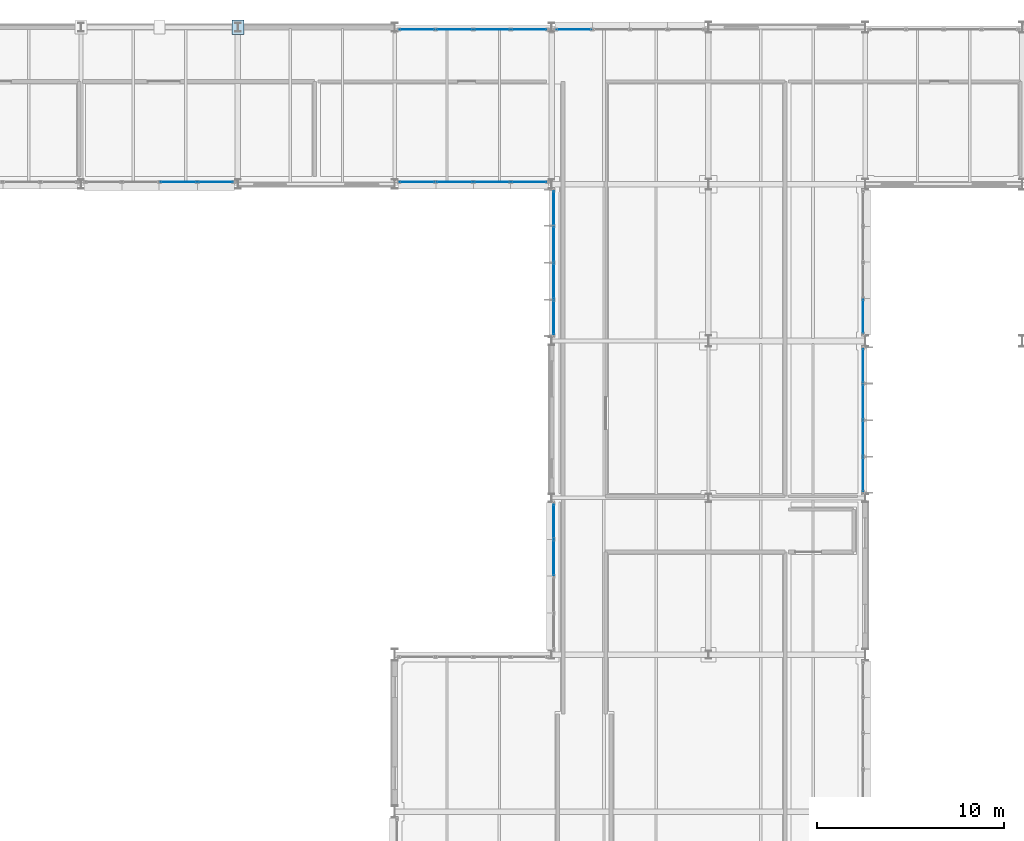
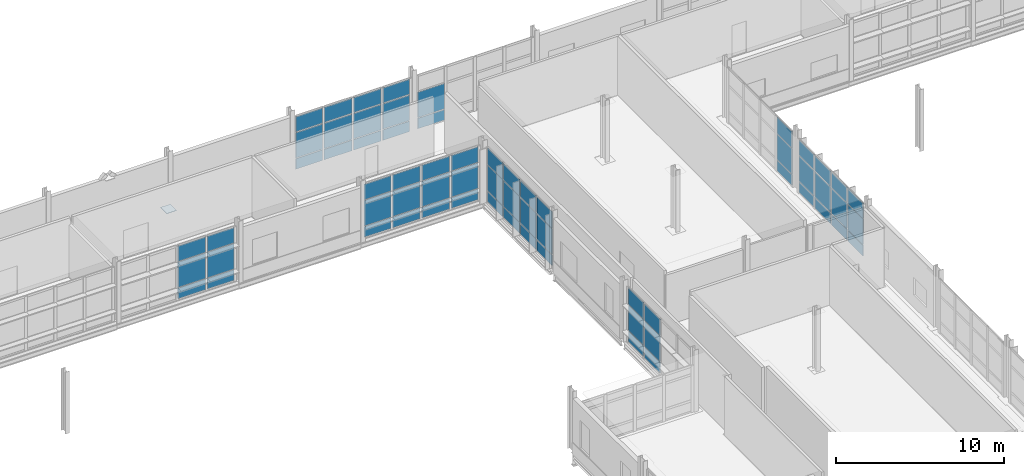
# One storey, part 87 of 129: 66 plates, 8 elements without a shape of their own.
"""IFC4 building model written with IfcOpenShell, lengths in metres."""

from ifc_helpers import new_model, si_unit, direction, frame, origin, origin_2d, place, context, subcontext, project, spatial, rectangle, extrude, material, layer, layer_set, type_object, element, aggregate, save


model = new_model("IFC4")

# Units and contexts
model_context = context("Model", 3, precision=1e-05, world=origin(), true_north=direction((0.0, 1.0)))
body_context = subcontext(model_context, "Body", "Model", "MODEL_VIEW")
ifc_project = project(units=[si_unit("LENGTHUNIT", "METRE"), si_unit("AREAUNIT", "SQUARE_METRE"), si_unit("VOLUMEUNIT", "CUBIC_METRE"), si_unit("PLANEANGLEUNIT", "RADIAN"), si_unit("MASSUNIT", "GRAM", prefix="KILO")], contexts=[model_context])

# Site, building, storey
site_placement = place(None, origin())
site = spatial("IfcSite", under=ifc_project, at=site_placement, CompositionType="ELEMENT")
building_placement = place(site_placement, origin())
building = spatial("IfcBuilding", under=site, at=building_placement, Name="Mersafa Astral City Hall", CompositionType="ELEMENT")
storey_placement = place(building_placement, frame((0.0, 0.0, 5.39990234375)))
storey = spatial("IfcBuildingStorey", under=building, at=storey_placement, Name="L01", CompositionType="ELEMENT", Elevation=5.39990234375)

# Curtain wall, plates
ifc_material_1 = material(Name="Anodised bronze aluminium framing", Category="aluminium")
curtain_wall_type_1 = type_object("IfcCurtainWallType", Name="ENV-CW-5", PredefinedType="USERDEFINED", material=ifc_material_1)
curtain_wall_1_placement = place(storey_placement, origin())
curtain_wall_1 = element("IfcCurtainWall", 1, at=curtain_wall_1_placement, inside=storey, type_object=curtain_wall_type_1, Name="L01 Unitised solar curtain wall 88", ObjectType="UNITISED CURTAIN WALL", PredefinedType="USERDEFINED")
ifc_material_2 = material(Name="Solar control low-e double glazing", Category="glass")
ifc_layer_1 = layer(ifc_material_2, 0.028076171875, Name="Solar control low-e double glazing")
ifc_layer_set_1 = layer_set([ifc_layer_1], Name="Solar control low-e double glazing — ENV-CW-PNL-GLZ-1")
plate_type_1 = type_object("IfcPlateType", Name="ENV-CW-PNL-GLZ-1", PredefinedType="CURTAIN_PANEL", material=ifc_layer_set_1)
plate_1_placement = place(storey_placement, frame((80.8095703125, 117.719970703125, 0.05810546875), z_axis=(0.0, 0.0, 1.0), x_axis=(1.0, 0.0, 0.0)))
plate_1 = element("IfcPlate", 2, at=plate_1_placement, type_object=plate_type_1, Name="CW-5 panel 3.1", PredefinedType="CURTAIN_PANEL", context=body_context, shape_type="SweptSolid", body=[
    extrude(rectangle(XDim=1.89892578125, YDim=0.028076171875, at=origin_2d()), origin(), (0.0, 0.0, 1.0), 0.761962890625),
])
plate_2_placement = place(storey_placement, frame((80.8095703125, 117.719970703125, 0.8798828125), z_axis=(0.0, 0.0, 1.0), x_axis=(1.0, 0.0, 0.0)))
plate_2 = element("IfcPlate", 3, at=plate_2_placement, type_object=plate_type_1, Name="CW-5 panel 3.2", PredefinedType="CURTAIN_PANEL", context=body_context, shape_type="SweptSolid", body=[
    extrude(rectangle(XDim=1.89892578125, YDim=0.028076171875, at=origin_2d()), origin(), (0.0, 0.0, 1.0), 1.840087890625),
])
plate_3_placement = place(storey_placement, frame((80.8095703125, 117.719970703125, 2.780029296875), z_axis=(0.0, 0.0, 1.0), x_axis=(1.0, 0.0, 0.0)))
plate_3 = element("IfcPlate", 4, at=plate_3_placement, type_object=plate_type_1, Name="CW-5 panel 3.3", PredefinedType="CURTAIN_PANEL", context=body_context, shape_type="SweptSolid", body=[
    extrude(rectangle(XDim=1.89892578125, YDim=0.028076171875, at=origin_2d()), origin(), (0.0, 0.0, 1.0), 1.126953125),
])
plate_4_placement = place(storey_placement, frame((82.798583984375, 117.719970703125, 0.05810546875), z_axis=(0.0, 0.0, 1.0), x_axis=(1.0, 0.0, 0.0)))
plate_4 = element("IfcPlate", 5, at=plate_4_placement, type_object=plate_type_1, Name="CW-5 panel 4.1", PredefinedType="CURTAIN_PANEL", context=body_context, shape_type="SweptSolid", body=[
    extrude(rectangle(XDim=1.839111328125, YDim=0.028076171875, at=origin_2d()), origin(), (0.0, 0.0, 1.0), 0.761962890625),
])
plate_5_placement = place(storey_placement, frame((82.798583984375, 117.719970703125, 0.8798828125), z_axis=(0.0, 0.0, 1.0), x_axis=(1.0, 0.0, 0.0)))
plate_5 = element("IfcPlate", 6, at=plate_5_placement, type_object=plate_type_1, Name="CW-5 panel 4.2", PredefinedType="CURTAIN_PANEL", context=body_context, shape_type="SweptSolid", body=[
    extrude(rectangle(XDim=1.839111328125, YDim=0.028076171875, at=origin_2d()), origin(), (0.0, 0.0, 1.0), 1.840087890625),
])
plate_6_placement = place(storey_placement, frame((82.798583984375, 117.719970703125, 2.780029296875), z_axis=(0.0, 0.0, 1.0), x_axis=(1.0, 0.0, 0.0)))
plate_6 = element("IfcPlate", 7, at=plate_6_placement, type_object=plate_type_1, Name="CW-5 panel 4.3", PredefinedType="CURTAIN_PANEL", context=body_context, shape_type="SweptSolid", body=[
    extrude(rectangle(XDim=1.839111328125, YDim=0.028076171875, at=origin_2d()), origin(), (0.0, 0.0, 1.0), 1.126953125),
])
aggregate(curtain_wall_1, [plate_1, plate_2, plate_3, plate_4, plate_5, plate_6])

curtain_wall_type_2 = type_object("IfcCurtainWallType", Name="ENV-CW-6", PredefinedType="USERDEFINED", material=ifc_material_1)
curtain_wall_2_placement = place(storey_placement, origin())
curtain_wall_2 = element("IfcCurtainWall", 8, at=curtain_wall_2_placement, inside=storey, type_object=curtain_wall_type_2, Name="L01 Unitised solar curtain wall 77", ObjectType="UNITISED CURTAIN WALL", PredefinedType="USERDEFINED")
ifc_layer_2 = layer(ifc_material_2, 0.031982421875, Name="Solar control low-e double glazing")
ifc_layer_set_2 = layer_set([ifc_layer_2], Name="Solar control low-e double glazing — ENV-CW-PNL-GLZ-2")
plate_type_2 = type_object("IfcPlateType", Name="ENV-CW-PNL-GLZ-2", PredefinedType="CURTAIN_PANEL", material=ifc_layer_set_2)
plate_7_placement = place(storey_placement, frame((102.00146484375, 125.8798828125, 0.05810546875), z_axis=(0.0, 0.0, 1.0), x_axis=(-1.0, 0.0, 0.0)))
plate_7 = element("IfcPlate", 9, at=plate_7_placement, type_object=plate_type_2, Name="CW-6 panel 4.1", PredefinedType="CURTAIN_PANEL", context=body_context, shape_type="SweptSolid", body=[
    extrude(rectangle(XDim=1.839111328125, YDim=0.031982421875, at=origin_2d()), origin(), (0.0, 0.0, 1.0), 0.761962890625),
])
plate_8_placement = place(storey_placement, frame((102.00146484375, 125.8798828125, 0.8798828125), z_axis=(0.0, 0.0, 1.0), x_axis=(-1.0, 0.0, 0.0)))
plate_8 = element("IfcPlate", 10, at=plate_8_placement, type_object=plate_type_2, Name="CW-6 panel 4.2", PredefinedType="CURTAIN_PANEL", context=body_context, shape_type="SweptSolid", body=[
    extrude(rectangle(XDim=1.839111328125, YDim=0.031982421875, at=origin_2d()), origin(), (0.0, 0.0, 1.0), 1.840087890625),
])
aggregate(curtain_wall_2, [plate_7, plate_8])

curtain_wall_3_placement = place(storey_placement, origin())
curtain_wall_3 = element("IfcCurtainWall", 11, at=curtain_wall_3_placement, inside=storey, type_object=curtain_wall_type_2, Name="L01 Unitised solar curtain wall 89", ObjectType="UNITISED CURTAIN WALL", PredefinedType="USERDEFINED")
plate_9_placement = place(storey_placement, frame((93.6015625, 117.719970703125, 0.05810546875), z_axis=(0.0, 0.0, 1.0), x_axis=(1.0, 0.0, 0.0)))
plate_9 = element("IfcPlate", 12, at=plate_9_placement, type_object=plate_type_2, Name="CW-6 panel 1.1", PredefinedType="CURTAIN_PANEL", context=body_context, shape_type="SweptSolid", body=[
    extrude(rectangle(XDim=1.839111328125, YDim=0.031982421875, at=origin_2d()), origin(), (0.0, 0.0, 1.0), 0.761962890625),
])
plate_10_placement = place(storey_placement, frame((93.6015625, 117.719970703125, 0.8798828125), z_axis=(0.0, 0.0, 1.0), x_axis=(1.0, 0.0, 0.0)))
plate_10 = element("IfcPlate", 13, at=plate_10_placement, type_object=plate_type_2, Name="CW-6 panel 1.2", PredefinedType="CURTAIN_PANEL", context=body_context, shape_type="SweptSolid", body=[
    extrude(rectangle(XDim=1.839111328125, YDim=0.031982421875, at=origin_2d()), origin(), (0.0, 0.0, 1.0), 1.840087890625),
])
plate_11_placement = place(storey_placement, frame((93.6015625, 117.719970703125, 2.780029296875), z_axis=(0.0, 0.0, 1.0), x_axis=(1.0, 0.0, 0.0)))
plate_11 = element("IfcPlate", 14, at=plate_11_placement, type_object=plate_type_2, Name="CW-6 panel 1.3", PredefinedType="CURTAIN_PANEL", context=body_context, shape_type="SweptSolid", body=[
    extrude(rectangle(XDim=1.839111328125, YDim=0.031982421875, at=origin_2d()), origin(), (0.0, 0.0, 1.0), 1.126953125),
])
plate_12_placement = place(storey_placement, frame((95.590576171875, 117.719970703125, 0.05810546875), z_axis=(0.0, 0.0, 1.0), x_axis=(1.0, 0.0, 0.0)))
plate_12 = element("IfcPlate", 15, at=plate_12_placement, type_object=plate_type_2, Name="CW-6 panel 2.1", PredefinedType="CURTAIN_PANEL", context=body_context, shape_type="SweptSolid", body=[
    extrude(rectangle(XDim=1.89892578125, YDim=0.031982421875, at=origin_2d()), origin(), (0.0, 0.0, 1.0), 0.761962890625),
])
plate_13_placement = place(storey_placement, frame((95.590576171875, 117.719970703125, 0.8798828125), z_axis=(0.0, 0.0, 1.0), x_axis=(1.0, 0.0, 0.0)))
plate_13 = element("IfcPlate", 16, at=plate_13_placement, type_object=plate_type_2, Name="CW-6 panel 2.2", PredefinedType="CURTAIN_PANEL", context=body_context, shape_type="SweptSolid", body=[
    extrude(rectangle(XDim=1.89892578125, YDim=0.031982421875, at=origin_2d()), origin(), (0.0, 0.0, 1.0), 1.840087890625),
])
plate_14_placement = place(storey_placement, frame((95.590576171875, 117.719970703125, 2.780029296875), z_axis=(0.0, 0.0, 1.0), x_axis=(1.0, 0.0, 0.0)))
plate_14 = element("IfcPlate", 17, at=plate_14_placement, type_object=plate_type_2, Name="CW-6 panel 2.3", PredefinedType="CURTAIN_PANEL", context=body_context, shape_type="SweptSolid", body=[
    extrude(rectangle(XDim=1.89892578125, YDim=0.031982421875, at=origin_2d()), origin(), (0.0, 0.0, 1.0), 1.126953125),
])
plate_15_placement = place(storey_placement, frame((97.609619140625, 117.719970703125, 0.05810546875), z_axis=(0.0, 0.0, 1.0), x_axis=(1.0, 0.0, 0.0)))
plate_15 = element("IfcPlate", 18, at=plate_15_placement, type_object=plate_type_2, Name="CW-6 panel 3.1", PredefinedType="CURTAIN_PANEL", context=body_context, shape_type="SweptSolid", body=[
    extrude(rectangle(XDim=1.89892578125, YDim=0.031982421875, at=origin_2d()), origin(), (0.0, 0.0, 1.0), 0.761962890625),
])
plate_16_placement = place(storey_placement, frame((97.609619140625, 117.719970703125, 0.8798828125), z_axis=(0.0, 0.0, 1.0), x_axis=(1.0, 0.0, 0.0)))
plate_16 = element("IfcPlate", 19, at=plate_16_placement, type_object=plate_type_2, Name="CW-6 panel 3.2", PredefinedType="CURTAIN_PANEL", context=body_context, shape_type="SweptSolid", body=[
    extrude(rectangle(XDim=1.89892578125, YDim=0.031982421875, at=origin_2d()), origin(), (0.0, 0.0, 1.0), 1.840087890625),
])
plate_17_placement = place(storey_placement, frame((97.609619140625, 117.719970703125, 2.780029296875), z_axis=(0.0, 0.0, 1.0), x_axis=(1.0, 0.0, 0.0)))
plate_17 = element("IfcPlate", 20, at=plate_17_placement, type_object=plate_type_2, Name="CW-6 panel 3.3", PredefinedType="CURTAIN_PANEL", context=body_context, shape_type="SweptSolid", body=[
    extrude(rectangle(XDim=1.89892578125, YDim=0.031982421875, at=origin_2d()), origin(), (0.0, 0.0, 1.0), 1.126953125),
])
plate_18_placement = place(storey_placement, frame((99.598388671875, 117.719970703125, 0.05810546875), z_axis=(0.0, 0.0, 1.0), x_axis=(1.0, 0.0, 0.0)))
plate_18 = element("IfcPlate", 21, at=plate_18_placement, type_object=plate_type_2, Name="CW-6 panel 4.1", PredefinedType="CURTAIN_PANEL", context=body_context, shape_type="SweptSolid", body=[
    extrude(rectangle(XDim=1.839111328125, YDim=0.031982421875, at=origin_2d()), origin(), (0.0, 0.0, 1.0), 0.761962890625),
])
plate_19_placement = place(storey_placement, frame((99.598388671875, 117.719970703125, 0.8798828125), z_axis=(0.0, 0.0, 1.0), x_axis=(1.0, 0.0, 0.0)))
plate_19 = element("IfcPlate", 22, at=plate_19_placement, type_object=plate_type_2, Name="CW-6 panel 4.2", PredefinedType="CURTAIN_PANEL", context=body_context, shape_type="SweptSolid", body=[
    extrude(rectangle(XDim=1.839111328125, YDim=0.031982421875, at=origin_2d()), origin(), (0.0, 0.0, 1.0), 1.840087890625),
])
plate_20_placement = place(storey_placement, frame((99.598388671875, 117.719970703125, 2.780029296875), z_axis=(0.0, 0.0, 1.0), x_axis=(1.0, 0.0, 0.0)))
plate_20 = element("IfcPlate", 23, at=plate_20_placement, type_object=plate_type_2, Name="CW-6 panel 4.3", PredefinedType="CURTAIN_PANEL", context=body_context, shape_type="SweptSolid", body=[
    extrude(rectangle(XDim=1.839111328125, YDim=0.031982421875, at=origin_2d()), origin(), (0.0, 0.0, 1.0), 1.126953125),
])
aggregate(curtain_wall_3, [plate_9, plate_10, plate_11, plate_12, plate_13, plate_14, plate_15, plate_16, plate_17, plate_18, plate_19, plate_20])

curtain_wall_4_placement = place(storey_placement, origin())
curtain_wall_4 = element("IfcCurtainWall", 24, at=curtain_wall_4_placement, inside=storey, type_object=curtain_wall_type_1, Name="L01 Unitised solar curtain wall 58", ObjectType="UNITISED CURTAIN WALL", PredefinedType="USERDEFINED")
ifc_layer_3 = layer(ifc_material_2, 0.035888671875, Name="Solar control low-e double glazing")
ifc_layer_set_3 = layer_set([ifc_layer_3], Name="Solar control low-e double glazing — ENV-CW-PNL-GLZ-3")
plate_type_3 = type_object("IfcPlateType", Name="ENV-CW-PNL-GLZ-3", PredefinedType="CURTAIN_PANEL", material=ifc_layer_set_3)
plate_21_placement = place(storey_placement, frame((117.47998046875, 102.04833984375, 0.05810546875), z_axis=(0.0, 0.0, 1.0), x_axis=(0.0, 1.0, 0.0)))
plate_21 = element("IfcPlate", 25, at=plate_21_placement, type_object=plate_type_3, Name="CW-5 panel 1.1", PredefinedType="CURTAIN_PANEL", context=body_context, shape_type="SweptSolid", body=[
    extrude(rectangle(XDim=1.78271484375, YDim=0.035888671875, at=origin_2d()), origin(), (0.0, 0.0, 1.0), 0.761962890625),
])
plate_22_placement = place(storey_placement, frame((117.47998046875, 102.04833984375, 0.8798828125), z_axis=(0.0, 0.0, 1.0), x_axis=(0.0, 1.0, 0.0)))
plate_22 = element("IfcPlate", 26, at=plate_22_placement, type_object=plate_type_3, Name="CW-5 panel 1.2", PredefinedType="CURTAIN_PANEL", context=body_context, shape_type="SweptSolid", body=[
    extrude(rectangle(XDim=1.78271484375, YDim=0.035888671875, at=origin_2d()), origin(), (0.0, 0.0, 1.0), 1.840087890625),
])
plate_23_placement = place(storey_placement, frame((117.47998046875, 102.04833984375, 2.7802734375), z_axis=(0.0, 0.0, 1.0), x_axis=(0.0, 1.0, 0.0)))
plate_23 = element("IfcPlate", 27, at=plate_23_placement, type_object=plate_type_3, Name="CW-5 panel 1.3", PredefinedType="CURTAIN_PANEL", context=body_context, shape_type="SweptSolid", body=[
    extrude(rectangle(XDim=1.78271484375, YDim=0.035888671875, at=origin_2d()), origin(), (0.0, 0.0, 1.0), 1.096923828125),
])
plate_24_placement = place(storey_placement, frame((117.47998046875, 103.981201171875, 0.05810546875), z_axis=(0.0, 0.0, 1.0), x_axis=(0.0, 1.0, 0.0)))
plate_24 = element("IfcPlate", 28, at=plate_24_placement, type_object=plate_type_3, Name="CW-5 panel 2.1", PredefinedType="CURTAIN_PANEL", context=body_context, shape_type="SweptSolid", body=[
    extrude(rectangle(XDim=1.8427734375, YDim=0.035888671875, at=origin_2d()), origin(), (0.0, 0.0, 1.0), 0.761962890625),
])
plate_25_placement = place(storey_placement, frame((117.47998046875, 103.981201171875, 0.8798828125), z_axis=(0.0, 0.0, 1.0), x_axis=(0.0, 1.0, 0.0)))
plate_25 = element("IfcPlate", 29, at=plate_25_placement, type_object=plate_type_3, Name="CW-5 panel 2.2", PredefinedType="CURTAIN_PANEL", context=body_context, shape_type="SweptSolid", body=[
    extrude(rectangle(XDim=1.8427734375, YDim=0.035888671875, at=origin_2d()), origin(), (0.0, 0.0, 1.0), 1.840087890625),
])
plate_26_placement = place(storey_placement, frame((117.47998046875, 103.981201171875, 2.7802734375), z_axis=(0.0, 0.0, 1.0), x_axis=(0.0, 1.0, 0.0)))
plate_26 = element("IfcPlate", 30, at=plate_26_placement, type_object=plate_type_3, Name="CW-5 panel 2.3", PredefinedType="CURTAIN_PANEL", context=body_context, shape_type="SweptSolid", body=[
    extrude(rectangle(XDim=1.8427734375, YDim=0.035888671875, at=origin_2d()), origin(), (0.0, 0.0, 1.0), 1.096923828125),
])
plate_27_placement = place(storey_placement, frame((117.47998046875, 105.94384765625, 0.05810546875), z_axis=(0.0, 0.0, 1.0), x_axis=(0.0, 1.0, 0.0)))
plate_27 = element("IfcPlate", 31, at=plate_27_placement, type_object=plate_type_3, Name="CW-5 panel 3.1", PredefinedType="CURTAIN_PANEL", context=body_context, shape_type="SweptSolid", body=[
    extrude(rectangle(XDim=1.8427734375, YDim=0.035888671875, at=origin_2d()), origin(), (0.0, 0.0, 1.0), 0.761962890625),
])
plate_28_placement = place(storey_placement, frame((117.47998046875, 105.94384765625, 0.8798828125), z_axis=(0.0, 0.0, 1.0), x_axis=(0.0, 1.0, 0.0)))
plate_28 = element("IfcPlate", 32, at=plate_28_placement, type_object=plate_type_3, Name="CW-5 panel 3.2", PredefinedType="CURTAIN_PANEL", context=body_context, shape_type="SweptSolid", body=[
    extrude(rectangle(XDim=1.8427734375, YDim=0.035888671875, at=origin_2d()), origin(), (0.0, 0.0, 1.0), 1.840087890625),
])
plate_29_placement = place(storey_placement, frame((117.47998046875, 105.94384765625, 2.7802734375), z_axis=(0.0, 0.0, 1.0), x_axis=(0.0, 1.0, 0.0)))
plate_29 = element("IfcPlate", 33, at=plate_29_placement, type_object=plate_type_3, Name="CW-5 panel 3.3", PredefinedType="CURTAIN_PANEL", context=body_context, shape_type="SweptSolid", body=[
    extrude(rectangle(XDim=1.8427734375, YDim=0.035888671875, at=origin_2d()), origin(), (0.0, 0.0, 1.0), 1.096923828125),
])
plate_30_placement = place(storey_placement, frame((117.47998046875, 107.876708984375, 0.05810546875), z_axis=(0.0, 0.0, 1.0), x_axis=(0.0, 1.0, 0.0)))
plate_30 = element("IfcPlate", 34, at=plate_30_placement, type_object=plate_type_3, Name="CW-5 panel 4.1", PredefinedType="CURTAIN_PANEL", context=body_context, shape_type="SweptSolid", body=[
    extrude(rectangle(XDim=1.78271484375, YDim=0.035888671875, at=origin_2d()), origin(), (0.0, 0.0, 1.0), 0.761962890625),
])
plate_31_placement = place(storey_placement, frame((117.47998046875, 107.876708984375, 0.8798828125), z_axis=(0.0, 0.0, 1.0), x_axis=(0.0, 1.0, 0.0)))
plate_31 = element("IfcPlate", 35, at=plate_31_placement, type_object=plate_type_3, Name="CW-5 panel 4.2", PredefinedType="CURTAIN_PANEL", context=body_context, shape_type="SweptSolid", body=[
    extrude(rectangle(XDim=1.78271484375, YDim=0.035888671875, at=origin_2d()), origin(), (0.0, 0.0, 1.0), 1.840087890625),
])
plate_32_placement = place(storey_placement, frame((117.47998046875, 107.876708984375, 2.7802734375), z_axis=(0.0, 0.0, 1.0), x_axis=(0.0, 1.0, 0.0)))
plate_32 = element("IfcPlate", 36, at=plate_32_placement, type_object=plate_type_3, Name="CW-5 panel 4.3", PredefinedType="CURTAIN_PANEL", context=body_context, shape_type="SweptSolid", body=[
    extrude(rectangle(XDim=1.78271484375, YDim=0.035888671875, at=origin_2d()), origin(), (0.0, 0.0, 1.0), 1.096923828125),
])
aggregate(curtain_wall_4, [plate_21, plate_22, plate_23, plate_24, plate_25, plate_26, plate_27, plate_28, plate_29, plate_30, plate_31, plate_32])

curtain_wall_type_3 = type_object("IfcCurtainWallType", Name="ENV-CW-1", PredefinedType="USERDEFINED", material=ifc_material_1)
curtain_wall_5_placement = place(storey_placement, origin())
curtain_wall_5 = element("IfcCurtainWall", 37, at=curtain_wall_5_placement, inside=storey, type_object=curtain_wall_type_3, Name="L01 Unitised solar curtain wall 78", ObjectType="UNITISED CURTAIN WALL", PredefinedType="USERDEFINED")
plate_33_placement = place(storey_placement, frame((99.598388671875, 125.8798828125, 0.05810546875), z_axis=(0.0, 0.0, 1.0), x_axis=(-1.0, 0.0, 0.0)))
plate_33 = element("IfcPlate", 38, at=plate_33_placement, type_object=plate_type_3, Name="CW-1 panel 1.1", PredefinedType="CURTAIN_PANEL", context=body_context, shape_type="SweptSolid", body=[
    extrude(rectangle(XDim=1.839111328125, YDim=0.035888671875, at=origin_2d()), origin(), (0.0, 0.0, 1.0), 0.761962890625),
])
plate_34_placement = place(storey_placement, frame((99.598388671875, 125.8798828125, 0.8798828125), z_axis=(0.0, 0.0, 1.0), x_axis=(-1.0, 0.0, 0.0)))
plate_34 = element("IfcPlate", 39, at=plate_34_placement, type_object=plate_type_3, Name="CW-1 panel 1.2", PredefinedType="CURTAIN_PANEL", context=body_context, shape_type="SweptSolid", body=[
    extrude(rectangle(XDim=1.839111328125, YDim=0.035888671875, at=origin_2d()), origin(), (0.0, 0.0, 1.0), 1.840087890625),
])
plate_35_placement = place(storey_placement, frame((99.598388671875, 125.8798828125, 2.7802734375), z_axis=(0.0, 0.0, 1.0), x_axis=(-1.0, 0.0, 0.0)))
plate_35 = element("IfcPlate", 40, at=plate_35_placement, type_object=plate_type_3, Name="CW-1 panel 1.3", PredefinedType="CURTAIN_PANEL", context=body_context, shape_type="SweptSolid", body=[
    extrude(rectangle(XDim=1.839111328125, YDim=0.035888671875, at=origin_2d()), origin(), (0.0, 0.0, 1.0), 1.096923828125),
])
plate_36_placement = place(storey_placement, frame((97.609619140625, 125.8798828125, 0.05810546875), z_axis=(0.0, 0.0, 1.0), x_axis=(-1.0, 0.0, 0.0)))
plate_36 = element("IfcPlate", 41, at=plate_36_placement, type_object=plate_type_3, Name="CW-1 panel 2.1", PredefinedType="CURTAIN_PANEL", context=body_context, shape_type="SweptSolid", body=[
    extrude(rectangle(XDim=1.89892578125, YDim=0.035888671875, at=origin_2d()), origin(), (0.0, 0.0, 1.0), 0.761962890625),
])
plate_37_placement = place(storey_placement, frame((97.609619140625, 125.8798828125, 0.8798828125), z_axis=(0.0, 0.0, 1.0), x_axis=(-1.0, 0.0, 0.0)))
plate_37 = element("IfcPlate", 42, at=plate_37_placement, type_object=plate_type_3, Name="CW-1 panel 2.2", PredefinedType="CURTAIN_PANEL", context=body_context, shape_type="SweptSolid", body=[
    extrude(rectangle(XDim=1.89892578125, YDim=0.035888671875, at=origin_2d()), origin(), (0.0, 0.0, 1.0), 1.840087890625),
])
plate_38_placement = place(storey_placement, frame((97.609619140625, 125.8798828125, 2.7802734375), z_axis=(0.0, 0.0, 1.0), x_axis=(-1.0, 0.0, 0.0)))
plate_38 = element("IfcPlate", 43, at=plate_38_placement, type_object=plate_type_3, Name="CW-1 panel 2.3", PredefinedType="CURTAIN_PANEL", context=body_context, shape_type="SweptSolid", body=[
    extrude(rectangle(XDim=1.89892578125, YDim=0.035888671875, at=origin_2d()), origin(), (0.0, 0.0, 1.0), 1.096923828125),
])
plate_39_placement = place(storey_placement, frame((95.590576171875, 125.8798828125, 0.05810546875), z_axis=(0.0, 0.0, 1.0), x_axis=(-1.0, 0.0, 0.0)))
plate_39 = element("IfcPlate", 44, at=plate_39_placement, type_object=plate_type_3, Name="CW-1 panel 3.1", PredefinedType="CURTAIN_PANEL", context=body_context, shape_type="SweptSolid", body=[
    extrude(rectangle(XDim=1.89892578125, YDim=0.035888671875, at=origin_2d()), origin(), (0.0, 0.0, 1.0), 0.761962890625),
])
plate_40_placement = place(storey_placement, frame((95.590576171875, 125.8798828125, 0.8798828125), z_axis=(0.0, 0.0, 1.0), x_axis=(-1.0, 0.0, 0.0)))
plate_40 = element("IfcPlate", 45, at=plate_40_placement, type_object=plate_type_3, Name="CW-1 panel 3.2", PredefinedType="CURTAIN_PANEL", context=body_context, shape_type="SweptSolid", body=[
    extrude(rectangle(XDim=1.89892578125, YDim=0.035888671875, at=origin_2d()), origin(), (0.0, 0.0, 1.0), 1.840087890625),
])
plate_41_placement = place(storey_placement, frame((95.590576171875, 125.8798828125, 2.7802734375), z_axis=(0.0, 0.0, 1.0), x_axis=(-1.0, 0.0, 0.0)))
plate_41 = element("IfcPlate", 46, at=plate_41_placement, type_object=plate_type_3, Name="CW-1 panel 3.3", PredefinedType="CURTAIN_PANEL", context=body_context, shape_type="SweptSolid", body=[
    extrude(rectangle(XDim=1.89892578125, YDim=0.035888671875, at=origin_2d()), origin(), (0.0, 0.0, 1.0), 1.096923828125),
])
plate_42_placement = place(storey_placement, frame((93.6015625, 125.8798828125, 0.05810546875), z_axis=(0.0, 0.0, 1.0), x_axis=(-1.0, 0.0, 0.0)))
plate_42 = element("IfcPlate", 47, at=plate_42_placement, type_object=plate_type_3, Name="CW-1 panel 4.1", PredefinedType="CURTAIN_PANEL", context=body_context, shape_type="SweptSolid", body=[
    extrude(rectangle(XDim=1.839111328125, YDim=0.035888671875, at=origin_2d()), origin(), (0.0, 0.0, 1.0), 0.761962890625),
])
plate_43_placement = place(storey_placement, frame((93.6015625, 125.8798828125, 0.8798828125), z_axis=(0.0, 0.0, 1.0), x_axis=(-1.0, 0.0, 0.0)))
plate_43 = element("IfcPlate", 48, at=plate_43_placement, type_object=plate_type_3, Name="CW-1 panel 4.2", PredefinedType="CURTAIN_PANEL", context=body_context, shape_type="SweptSolid", body=[
    extrude(rectangle(XDim=1.839111328125, YDim=0.035888671875, at=origin_2d()), origin(), (0.0, 0.0, 1.0), 1.840087890625),
])
plate_44_placement = place(storey_placement, frame((93.6015625, 125.8798828125, 2.7802734375), z_axis=(0.0, 0.0, 1.0), x_axis=(-1.0, 0.0, 0.0)))
plate_44 = element("IfcPlate", 49, at=plate_44_placement, type_object=plate_type_3, Name="CW-1 panel 4.3", PredefinedType="CURTAIN_PANEL", context=body_context, shape_type="SweptSolid", body=[
    extrude(rectangle(XDim=1.839111328125, YDim=0.035888671875, at=origin_2d()), origin(), (0.0, 0.0, 1.0), 1.096923828125),
])
aggregate(curtain_wall_5, [plate_33, plate_34, plate_35, plate_36, plate_37, plate_38, plate_39, plate_40, plate_41, plate_42, plate_43, plate_44])

curtain_wall_6_placement = place(storey_placement, origin())
curtain_wall_6 = element("IfcCurtainWall", 50, at=curtain_wall_6_placement, inside=storey, type_object=curtain_wall_type_3, Name="L01 Unitised solar curtain wall 90", ObjectType="UNITISED CURTAIN WALL", PredefinedType="USERDEFINED")
plate_45_placement = place(storey_placement, frame((100.919921875, 116.3203125, 0.05810546875), z_axis=(0.0, 0.0, 1.0), x_axis=(0.0, -1.0, 0.0)))
plate_45 = element("IfcPlate", 51, at=plate_45_placement, type_object=plate_type_3, Name="CW-1 panel 1.1", PredefinedType="CURTAIN_PANEL", context=body_context, shape_type="SweptSolid", body=[
    extrude(rectangle(XDim=1.795166015625, YDim=0.035888671875, at=origin_2d()), origin(), (0.0, 0.0, 1.0), 0.761962890625),
])
plate_46_placement = place(storey_placement, frame((100.919921875, 116.3203125, 0.8798828125), z_axis=(0.0, 0.0, 1.0), x_axis=(0.0, -1.0, 0.0)))
plate_46 = element("IfcPlate", 52, at=plate_46_placement, type_object=plate_type_3, Name="CW-1 panel 1.2", PredefinedType="CURTAIN_PANEL", context=body_context, shape_type="SweptSolid", body=[
    extrude(rectangle(XDim=1.795166015625, YDim=0.035888671875, at=origin_2d()), origin(), (0.0, 0.0, 1.0), 1.840087890625),
])
plate_47_placement = place(storey_placement, frame((100.919921875, 116.3203125, 2.780029296875), z_axis=(0.0, 0.0, 1.0), x_axis=(0.0, -1.0, 0.0)))
plate_47 = element("IfcPlate", 53, at=plate_47_placement, type_object=plate_type_3, Name="CW-1 panel 1.3", PredefinedType="CURTAIN_PANEL", context=body_context, shape_type="SweptSolid", body=[
    extrude(rectangle(XDim=1.795166015625, YDim=0.035888671875, at=origin_2d()), origin(), (0.0, 0.0, 1.0), 1.18701171875),
])
plate_48_placement = place(storey_placement, frame((100.919921875, 114.375244140625, 0.05810546875), z_axis=(0.0, 0.0, 1.0), x_axis=(0.0, -1.0, 0.0)))
plate_48 = element("IfcPlate", 54, at=plate_48_placement, type_object=plate_type_3, Name="CW-1 panel 2.1", PredefinedType="CURTAIN_PANEL", context=body_context, shape_type="SweptSolid", body=[
    extrude(rectangle(XDim=1.855224609375, YDim=0.035888671875, at=origin_2d()), origin(), (0.0, 0.0, 1.0), 0.761962890625),
])
plate_49_placement = place(storey_placement, frame((100.919921875, 114.375244140625, 0.8798828125), z_axis=(0.0, 0.0, 1.0), x_axis=(0.0, -1.0, 0.0)))
plate_49 = element("IfcPlate", 55, at=plate_49_placement, type_object=plate_type_3, Name="CW-1 panel 2.2", PredefinedType="CURTAIN_PANEL", context=body_context, shape_type="SweptSolid", body=[
    extrude(rectangle(XDim=1.855224609375, YDim=0.035888671875, at=origin_2d()), origin(), (0.0, 0.0, 1.0), 1.840087890625),
])
plate_50_placement = place(storey_placement, frame((100.919921875, 114.375244140625, 2.780029296875), z_axis=(0.0, 0.0, 1.0), x_axis=(0.0, -1.0, 0.0)))
plate_50 = element("IfcPlate", 56, at=plate_50_placement, type_object=plate_type_3, Name="CW-1 panel 2.3", PredefinedType="CURTAIN_PANEL", context=body_context, shape_type="SweptSolid", body=[
    extrude(rectangle(XDim=1.855224609375, YDim=0.035888671875, at=origin_2d()), origin(), (0.0, 0.0, 1.0), 1.18701171875),
])
plate_51_placement = place(storey_placement, frame((100.919921875, 112.39990234375, 0.05810546875), z_axis=(0.0, 0.0, 1.0), x_axis=(0.0, -1.0, 0.0)))
plate_51 = element("IfcPlate", 57, at=plate_51_placement, type_object=plate_type_3, Name="CW-1 panel 3.1", PredefinedType="CURTAIN_PANEL", context=body_context, shape_type="SweptSolid", body=[
    extrude(rectangle(XDim=1.855224609375, YDim=0.035888671875, at=origin_2d()), origin(), (0.0, 0.0, 1.0), 0.761962890625),
])
plate_52_placement = place(storey_placement, frame((100.919921875, 112.39990234375, 0.8798828125), z_axis=(0.0, 0.0, 1.0), x_axis=(0.0, -1.0, 0.0)))
plate_52 = element("IfcPlate", 58, at=plate_52_placement, type_object=plate_type_3, Name="CW-1 panel 3.2", PredefinedType="CURTAIN_PANEL", context=body_context, shape_type="SweptSolid", body=[
    extrude(rectangle(XDim=1.855224609375, YDim=0.035888671875, at=origin_2d()), origin(), (0.0, 0.0, 1.0), 1.840087890625),
])
plate_53_placement = place(storey_placement, frame((100.919921875, 112.39990234375, 2.780029296875), z_axis=(0.0, 0.0, 1.0), x_axis=(0.0, -1.0, 0.0)))
plate_53 = element("IfcPlate", 59, at=plate_53_placement, type_object=plate_type_3, Name="CW-1 panel 3.3", PredefinedType="CURTAIN_PANEL", context=body_context, shape_type="SweptSolid", body=[
    extrude(rectangle(XDim=1.855224609375, YDim=0.035888671875, at=origin_2d()), origin(), (0.0, 0.0, 1.0), 1.18701171875),
])
plate_54_placement = place(storey_placement, frame((100.919921875, 110.45458984375, 0.05810546875), z_axis=(0.0, 0.0, 1.0), x_axis=(0.0, -1.0, 0.0)))
plate_54 = element("IfcPlate", 60, at=plate_54_placement, type_object=plate_type_3, Name="CW-1 panel 4.1", PredefinedType="CURTAIN_PANEL", context=body_context, shape_type="SweptSolid", body=[
    extrude(rectangle(XDim=1.795166015625, YDim=0.035888671875, at=origin_2d()), origin(), (0.0, 0.0, 1.0), 0.761962890625),
])
plate_55_placement = place(storey_placement, frame((100.919921875, 110.45458984375, 0.8798828125), z_axis=(0.0, 0.0, 1.0), x_axis=(0.0, -1.0, 0.0)))
plate_55 = element("IfcPlate", 61, at=plate_55_placement, type_object=plate_type_3, Name="CW-1 panel 4.2", PredefinedType="CURTAIN_PANEL", context=body_context, shape_type="SweptSolid", body=[
    extrude(rectangle(XDim=1.795166015625, YDim=0.035888671875, at=origin_2d()), origin(), (0.0, 0.0, 1.0), 1.840087890625),
])
plate_56_placement = place(storey_placement, frame((100.919921875, 110.45458984375, 2.780029296875), z_axis=(0.0, 0.0, 1.0), x_axis=(0.0, -1.0, 0.0)))
plate_56 = element("IfcPlate", 62, at=plate_56_placement, type_object=plate_type_3, Name="CW-1 panel 4.3", PredefinedType="CURTAIN_PANEL", context=body_context, shape_type="SweptSolid", body=[
    extrude(rectangle(XDim=1.795166015625, YDim=0.035888671875, at=origin_2d()), origin(), (0.0, 0.0, 1.0), 1.18701171875),
])
aggregate(curtain_wall_6, [plate_45, plate_46, plate_47, plate_48, plate_49, plate_50, plate_51, plate_52, plate_53, plate_54, plate_55, plate_56])

curtain_wall_7_placement = place(storey_placement, origin())
curtain_wall_7 = element("IfcCurtainWall", 63, at=curtain_wall_7_placement, inside=storey, type_object=curtain_wall_type_2, Name="L01 Unitised solar curtain wall 59", ObjectType="UNITISED CURTAIN WALL", PredefinedType="USERDEFINED")
ifc_layer_4 = layer(ifc_material_2, 0.0400390625, Name="Solar control low-e double glazing")
ifc_layer_set_4 = layer_set([ifc_layer_4], Name="Solar control low-e double glazing — ENV-CW-PNL-GLZ-4")
plate_type_4 = type_object("IfcPlateType", Name="ENV-CW-PNL-GLZ-4", PredefinedType="CURTAIN_PANEL", material=ifc_layer_set_4)
plate_57_placement = place(storey_placement, frame((117.47998046875, 110.513916015625, 0.05810546875), z_axis=(0.0, 0.0, 1.0), x_axis=(0.0, 1.0, 0.0)))
plate_57 = element("IfcPlate", 64, at=plate_57_placement, type_object=plate_type_4, Name="CW-6 panel 1.1", PredefinedType="CURTAIN_PANEL", context=body_context, shape_type="SweptSolid", body=[
    extrude(rectangle(XDim=1.763916015625, YDim=0.0400390625, at=origin_2d()), origin(), (0.0, 0.0, 1.0), 0.761962890625),
])
plate_58_placement = place(storey_placement, frame((117.47998046875, 110.513916015625, 0.8798828125), z_axis=(0.0, 0.0, 1.0), x_axis=(0.0, 1.0, 0.0)))
plate_58 = element("IfcPlate", 65, at=plate_58_placement, type_object=plate_type_4, Name="CW-6 panel 1.2", PredefinedType="CURTAIN_PANEL", context=body_context, shape_type="SweptSolid", body=[
    extrude(rectangle(XDim=1.763916015625, YDim=0.0400390625, at=origin_2d()), origin(), (0.0, 0.0, 1.0), 1.840087890625),
])
plate_59_placement = place(storey_placement, frame((117.47998046875, 110.513916015625, 2.780029296875), z_axis=(0.0, 0.0, 1.0), x_axis=(0.0, 1.0, 0.0)))
plate_59 = element("IfcPlate", 66, at=plate_59_placement, type_object=plate_type_4, Name="CW-6 panel 1.3", PredefinedType="CURTAIN_PANEL", context=body_context, shape_type="SweptSolid", body=[
    extrude(rectangle(XDim=1.763916015625, YDim=0.0400390625, at=origin_2d()), origin(), (0.0, 0.0, 1.0), 1.18701171875),
])
aggregate(curtain_wall_7, [plate_57, plate_58, plate_59])

curtain_wall_type_4 = type_object("IfcCurtainWallType", Name="ENV-CW-2", PredefinedType="USERDEFINED", material=ifc_material_1)
curtain_wall_8_placement = place(storey_placement, origin())
curtain_wall_8 = element("IfcCurtainWall", 67, at=curtain_wall_8_placement, inside=storey, type_object=curtain_wall_type_4, Name="L01 Unitised solar curtain wall 91", ObjectType="UNITISED CURTAIN WALL", PredefinedType="USERDEFINED")
plate_60_placement = place(storey_placement, frame((100.919921875, 99.542236328125, 0.05810546875), z_axis=(0.0, 0.0, 1.0), x_axis=(0.0, -1.0, 0.0)))
plate_60 = element("IfcPlate", 68, at=plate_60_placement, type_object=plate_type_4, Name="CW-2 panel 1.1", PredefinedType="CURTAIN_PANEL", context=body_context, shape_type="SweptSolid", body=[
    extrude(rectangle(XDim=1.801513671875, YDim=0.0400390625, at=origin_2d()), origin(), (0.0, 0.0, 1.0), 0.761962890625),
])
plate_61_placement = place(storey_placement, frame((100.919921875, 99.542236328125, 0.8798828125), z_axis=(0.0, 0.0, 1.0), x_axis=(0.0, -1.0, 0.0)))
plate_61 = element("IfcPlate", 69, at=plate_61_placement, type_object=plate_type_4, Name="CW-2 panel 1.2", PredefinedType="CURTAIN_PANEL", context=body_context, shape_type="SweptSolid", body=[
    extrude(rectangle(XDim=1.801513671875, YDim=0.0400390625, at=origin_2d()), origin(), (0.0, 0.0, 1.0), 1.840087890625),
])
plate_62_placement = place(storey_placement, frame((100.919921875, 99.542236328125, 2.780029296875), z_axis=(0.0, 0.0, 1.0), x_axis=(0.0, -1.0, 0.0)))
plate_62 = element("IfcPlate", 70, at=plate_62_placement, type_object=plate_type_4, Name="CW-2 panel 1.3", PredefinedType="CURTAIN_PANEL", context=body_context, shape_type="SweptSolid", body=[
    extrude(rectangle(XDim=1.801513671875, YDim=0.0400390625, at=origin_2d()), origin(), (0.0, 0.0, 1.0), 1.18701171875),
])
plate_63_placement = place(storey_placement, frame((100.919921875, 97.5908203125, 0.05810546875), z_axis=(0.0, 0.0, 1.0), x_axis=(0.0, -1.0, 0.0)))
plate_63 = element("IfcPlate", 71, at=plate_63_placement, type_object=plate_type_4, Name="CW-2 panel 2.1", PredefinedType="CURTAIN_PANEL", context=body_context, shape_type="SweptSolid", body=[
    extrude(rectangle(XDim=1.861572265625, YDim=0.0400390625, at=origin_2d()), origin(), (0.0, 0.0, 1.0), 0.761962890625),
])
plate_64_placement = place(storey_placement, frame((100.919921875, 97.5908203125, 0.8798828125), z_axis=(0.0, 0.0, 1.0), x_axis=(0.0, -1.0, 0.0)))
plate_64 = element("IfcPlate", 72, at=plate_64_placement, type_object=plate_type_4, Name="CW-2 panel 2.2", PredefinedType="CURTAIN_PANEL", context=body_context, shape_type="SweptSolid", body=[
    extrude(rectangle(XDim=1.861572265625, YDim=0.0400390625, at=origin_2d()), origin(), (0.0, 0.0, 1.0), 1.840087890625),
])
plate_65_placement = place(storey_placement, frame((100.919921875, 97.5908203125, 2.780029296875), z_axis=(0.0, 0.0, 1.0), x_axis=(0.0, -1.0, 0.0)))
plate_65 = element("IfcPlate", 73, at=plate_65_placement, type_object=plate_type_4, Name="CW-2 panel 2.3", PredefinedType="CURTAIN_PANEL", context=body_context, shape_type="SweptSolid", body=[
    extrude(rectangle(XDim=1.861572265625, YDim=0.0400390625, at=origin_2d()), origin(), (0.0, 0.0, 1.0), 1.18701171875),
])
aggregate(curtain_wall_8, [plate_60, plate_61, plate_62, plate_63, plate_64, plate_65])

# Plate
ifc_material_3 = material(Name="Steel S355", Category="steel")
ifc_layer_5 = layer(ifc_material_3, 0.02587890625, Name="Steel S355")
ifc_layer_set_5 = layer_set([ifc_layer_5], Name="Steel S355 — STR-PLT-NP-13")
plate_type_5 = type_object("IfcPlateType", Name="STR-PLT-NP-13", PredefinedType="SHEET", material=ifc_layer_set_5)
plate_66_placement = place(storey_placement, frame((84.001953125, 126.0, 0.107177734375), z_axis=(0.0, 0.0, 1.0), x_axis=(1.0, 0.0, 0.0)))
element("IfcPlate", 74, at=plate_66_placement, inside=storey, type_object=plate_type_5, Name="L01 Structural steel brace gusset plate NP-13", PredefinedType="SHEET", context=body_context, shape_type="SweptSolid", body=[
    extrude(rectangle(XDim=0.659912109375, YDim=0.760009765625, at=origin_2d()), origin(), (0.0, 0.0, 1.0), 0.02587890625),
])

save(model, "model.ifc")
